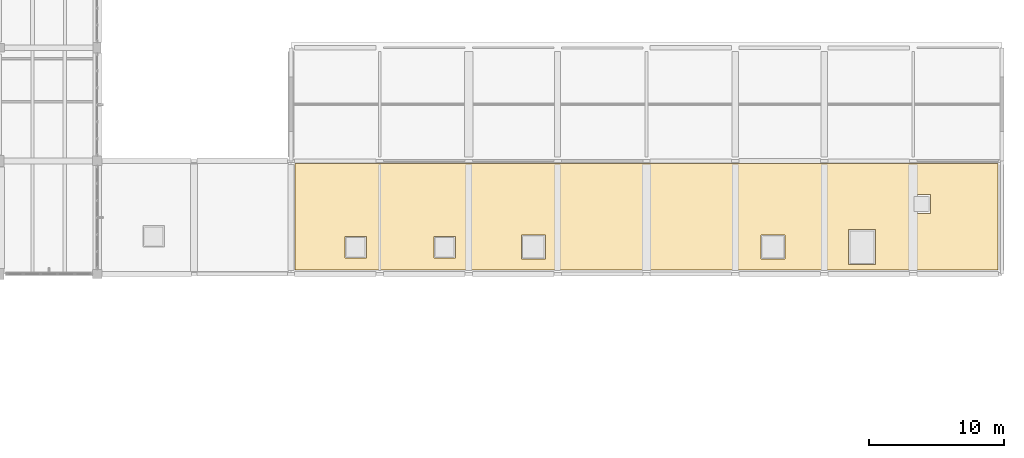
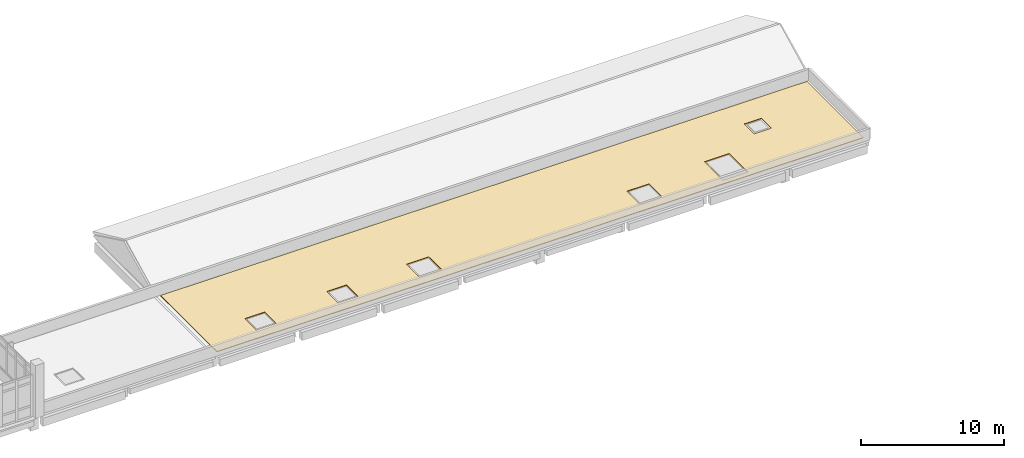
# One storey, part 124 of 124: 1 covering.
"""IFC4 building model written with IfcOpenShell, lengths in metres."""

from ifc_helpers import new_model, si_unit, direction, frame, origin, place, context, subcontext, project, spatial, polyline, outline, extrude, material, layer, layer_set, type_object, element, save


model = new_model("IFC4")

# Units and contexts
model_context = context("Model", 3, precision=1e-05, world=origin(), true_north=direction((0.0, 1.0)))
body_context = subcontext(model_context, "Body", "Model", "MODEL_VIEW")
ifc_project = project(units=[si_unit("LENGTHUNIT", "METRE"), si_unit("AREAUNIT", "SQUARE_METRE"), si_unit("VOLUMEUNIT", "CUBIC_METRE"), si_unit("PLANEANGLEUNIT", "RADIAN"), si_unit("MASSUNIT", "GRAM", prefix="KILO")], contexts=[model_context])

# Site, building, storey
site_placement = place(None, origin())
site = spatial("IfcSite", under=ifc_project, at=site_placement, CompositionType="ELEMENT")
building_placement = place(site_placement, origin())
building = spatial("IfcBuilding", under=site, at=building_placement, Name="Kalluvel Institute of Natural Sciences", CompositionType="ELEMENT")
storey_placement = place(building_placement, frame((0.0, 0.0, 9.89990234375)))
storey = spatial("IfcBuildingStorey", under=building, at=storey_placement, Name="L02", CompositionType="ELEMENT", Elevation=9.89990234375)

# Covering
ifc_material = material(Name="SBS Polymer-Modified Bitumen Waterproofing", Category="bitumen")
ifc_layer = layer(ifc_material, 0.06005859375)
ifc_layer_set = layer_set([ifc_layer], Name="SBS Polymer-Modified Bitumen Waterproofing")
covering_type = type_object("IfcCoveringType", Name="COV-ROOF-SBS", PredefinedType="ROOFING", material=ifc_layer_set)
covering_placement = place(storey_placement, origin())
element("IfcCovering", 1, at=covering_placement, inside=storey, type_object=covering_type, Name="L02 SBS roof waterproofing build-up RM-L02-CLN", PredefinedType="ROOFING", context=body_context, shape_type="SweptSolid", body=[
    extrude(outline(polyline([(129.5, 103.10009765625), (181.699951171875, 103.10009765625), (181.699951171875, 111.0), (129.5, 111.0), (129.5, 103.10009765625)]), holes=[polyline([(133.199951171875, 104.0), (134.800048828125, 104.0), (134.800048828125, 105.60009765625), (133.199951171875, 105.60009765625), (133.199951171875, 104.0)]), polyline([(139.800048828125, 104.0), (141.39990234375, 104.0), (141.39990234375, 105.60009765625), (139.800048828125, 105.60009765625), (139.800048828125, 104.0)]), polyline([(146.300048828125, 103.89990234375), (148.10009765625, 103.89990234375), (148.10009765625, 105.699951171875), (146.300048828125, 105.699951171875), (146.300048828125, 103.89990234375)]), polyline([(164.10009765625, 103.89990234375), (165.89990234375, 103.89990234375), (165.89990234375, 105.699951171875), (164.10009765625, 105.699951171875), (164.10009765625, 103.89990234375)]), polyline([(170.60009765625, 103.5), (172.60009765625, 103.5), (172.60009765625, 106.10009765625), (170.60009765625, 106.10009765625), (170.60009765625, 103.5)]), polyline([(175.300048828125, 107.300048828125), (176.699951171875, 107.300048828125), (176.699951171875, 108.699951171875), (175.300048828125, 108.699951171875), (175.300048828125, 107.300048828125)])]), origin(), (0.0, 0.0, 1.0), 0.06005859375),
])

save(model, "model.ifc")
